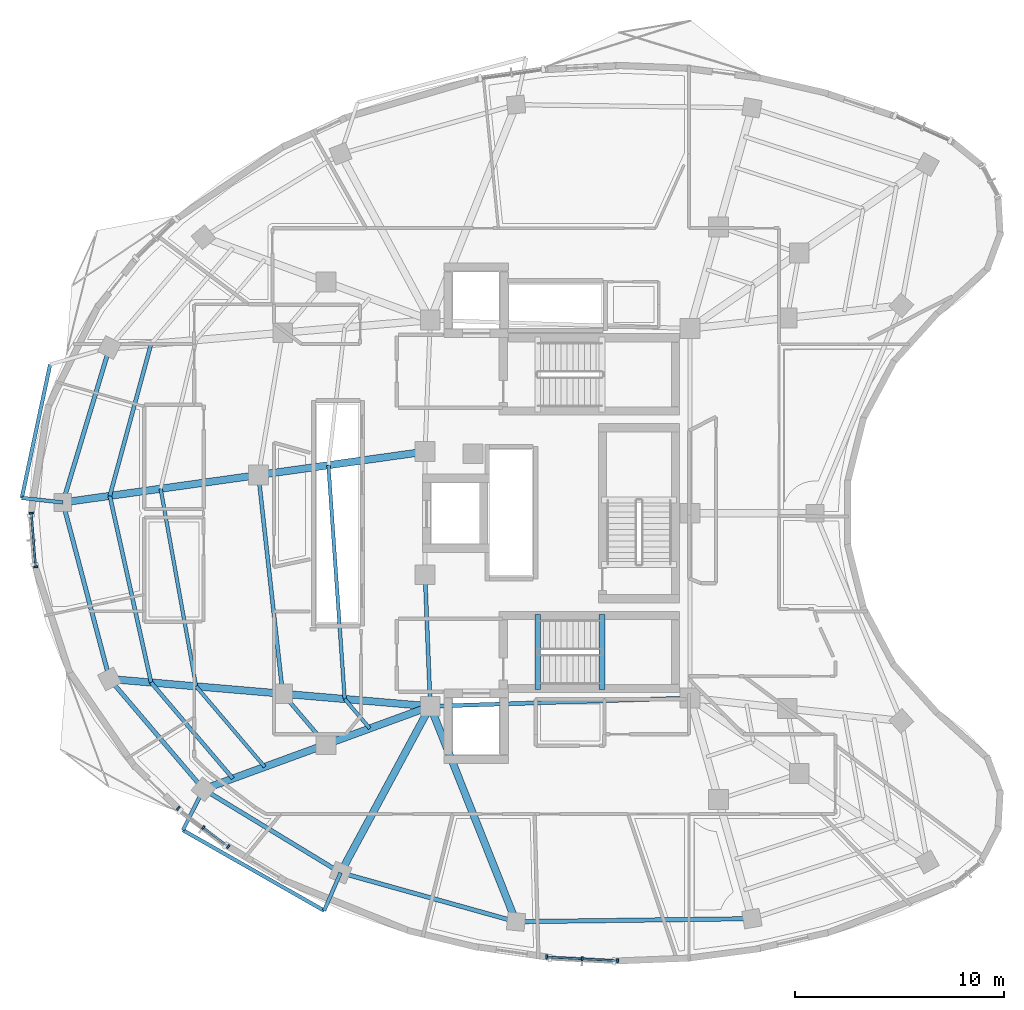
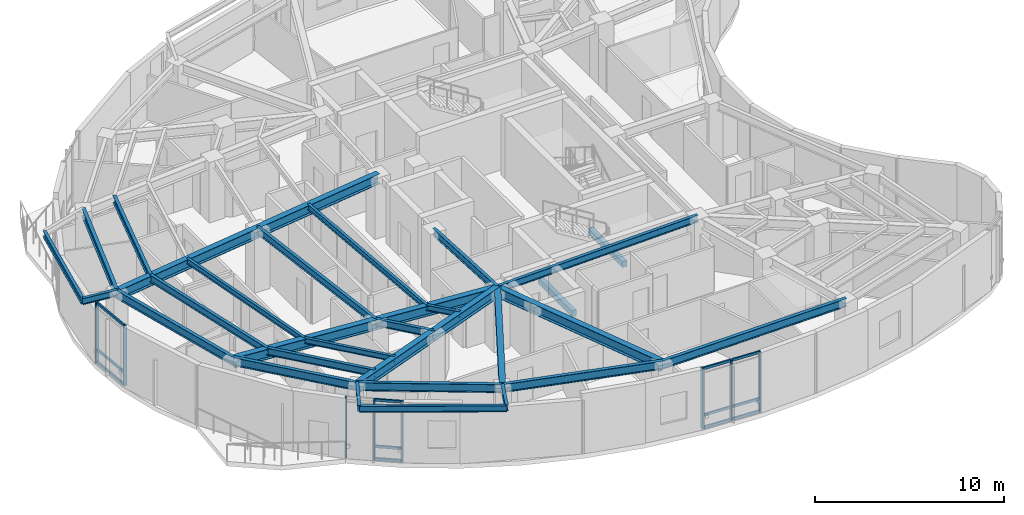
# One storey, part 2 of 14: 32 beams, 20 members, 3 elements without a shape of their own.
"""IFC4 building model written with IfcOpenShell, lengths in metres."""

from ifc_helpers import new_model, si_unit, direction, frame, origin, origin_2d, place, context, subcontext, project, spatial, rectangle, i_section, extrude, material, layer, layer_set, material_profile, profile_set, type_object, element, aggregate, save


model = new_model("IFC4")

# Units and contexts
model_context = context("Model", 3, precision=1e-05, world=origin(), true_north=direction((0.0, 1.0)))
body_context = subcontext(model_context, "Body", "Model", "MODEL_VIEW")
ifc_project = project(units=[si_unit("LENGTHUNIT", "METRE"), si_unit("AREAUNIT", "SQUARE_METRE"), si_unit("VOLUMEUNIT", "CUBIC_METRE"), si_unit("PLANEANGLEUNIT", "RADIAN"), si_unit("MASSUNIT", "GRAM", prefix="KILO")], contexts=[model_context])

# Site, building, storey
site_placement = place(None, origin())
site = spatial("IfcSite", under=ifc_project, at=site_placement, CompositionType="ELEMENT")
building_placement = place(site_placement, origin())
building = spatial("IfcBuilding", under=site, at=building_placement, Name="Korentha Bioscience Tower", CompositionType="ELEMENT")
storey_placement = place(building_placement, frame((0.0, 0.0, 252.0)))
storey = spatial("IfcBuildingStorey", under=building, at=storey_placement, Name="L58", CompositionType="ELEMENT", Elevation=252.0)

# Beams
ifc_material_1 = material(Name="Concrete C50", Category="concrete")
ifc_material_profile_1 = material_profile(ifc_material_1, rectangle(XDim=0.280029296875, YDim=0.3798828125, at=origin_2d()), Name="Concrete C50")
ifc_profile_set_1 = profile_set([ifc_material_profile_1], Name="Concrete C50 (ST-HB380)")
beam_type_1 = type_object("IfcBeamType", Name="Concrete Stair Header Beam RC 280x380", PredefinedType="BEAM", material=ifc_profile_set_1)
for number, where, z_axis, x_axis, name in (
    (1, (30.25, 18.550048828125, -0.18994140625), (0.0, 1.0, 0.0), (-1.0, 0.0, 0.0), "L58 ST-2 Concrete Stair Header Beam"),
    (2, (33.330078125, 18.550048828125, 1.909912109375), (0.0, 1.0, 0.0), (-1.0, 0.0, 0.0), "L58 ST-2 Half-Landing Header Beam 1"),
):
    element("IfcBeam", number, at=place(storey_placement, frame(where, z_axis=z_axis, x_axis=x_axis)), inside=storey, type_object=beam_type_1, Name=name, PredefinedType="BEAM", context=body_context, shape_type="SweptSolid", body=[
        extrude(rectangle(XDim=0.280029296875, YDim=0.3798828125, at=origin_2d()), origin(), (0.0, 0.0, 1.0), 3.599853515625),
    ])
ifc_material_2 = material(Name="Steel S355", Category="steel")
ifc_material_profile_2 = material_profile(ifc_material_2, i_section(OverallWidth=0.18994140625, OverallDepth=0.45703125, WebThickness=0.009033203125, FlangeThickness=0.014404296875, at=origin_2d()), Name="Steel S355")
ifc_profile_set_2 = profile_set([ifc_material_profile_2], Name="Steel S355 (MB-460)")
beam_type_2 = type_object("IfcBeamType", Name="Mid-Ring Tie Girder W460x74", PredefinedType="BEAM", material=ifc_profile_set_2)
beam_1_placement = place(storey_placement, frame((16.868408203125, 28.830322265625, 3.67138671875), z_axis=(0.110304435267, -0.993897847649, 0.0), x_axis=(0.993897847649, 0.110304435267, 0.0)))
element("IfcBeam", 3, at=beam_1_placement, inside=storey, type_object=beam_type_2, Name="L58 Mid-Ring Tie Girder 07", PredefinedType="BEAM", context=body_context, shape_type="SweptSolid", body=[
    extrude(i_section(OverallWidth=0.18994140625, OverallDepth=0.45703125, WebThickness=0.009033203125, FlangeThickness=0.014404296875, at=origin_2d()), origin(), (0.0, 0.0, 1.0), 10.5419921875),
])
beam_2_placement = place(storey_placement, frame((18.03125, 18.3525390625, 3.67138671875), z_axis=(0.648477940418, -0.761233446974, 0.0), x_axis=(0.761233446974, 0.648477940418, 0.0)))
element("IfcBeam", 4, at=beam_2_placement, inside=storey, type_object=beam_type_2, Name="L58 Mid-Ring Tie Girder 08", PredefinedType="BEAM", context=body_context, shape_type="SweptSolid", body=[
    extrude(i_section(OverallWidth=0.18994140625, OverallDepth=0.45703125, WebThickness=0.009033203125, FlangeThickness=0.014404296875, at=origin_2d()), origin(), (0.0, 0.0, 1.0), 3.193603515625),
])
beam_3_placement = place(storey_placement, frame((24.85009765625, 24.050048828125, 3.67138671875), z_axis=(0.039651025576, -0.999213588864, 0.0), x_axis=(0.999213588864, 0.039651025576, 0.0)))
element("IfcBeam", 5, at=beam_3_placement, inside=storey, type_object=beam_type_2, Name="L58 Core Ring Tie Girder 04", PredefinedType="BEAM", context=body_context, shape_type="SweptSolid", body=[
    extrude(i_section(OverallWidth=0.18994140625, OverallDepth=0.45703125, WebThickness=0.009033203125, FlangeThickness=0.014404296875, at=origin_2d()), origin(), (0.0, 0.0, 1.0), 6.304931640625),
])
beam_4_placement = place(storey_placement, frame((25.10009765625, 17.75, 3.67138671875), z_axis=(0.999484526071, 0.032104238723, 0.0), x_axis=(-0.032104238723, 0.999484526071, 0.0)))
element("IfcBeam", 6, at=beam_4_placement, inside=storey, type_object=beam_type_2, Name="L58 Core Ring Tie Girder 05", PredefinedType="BEAM", context=body_context, shape_type="SweptSolid", body=[
    extrude(i_section(OverallWidth=0.18994140625, OverallDepth=0.45703125, WebThickness=0.009033203125, FlangeThickness=0.014404296875, at=origin_2d()), origin(), (0.0, 0.0, 1.0), 12.456298828125),
])

# Curtain wall, members
ifc_material_3 = material(Name="Thermally Broken Aluminium Frame", Category="aluminium")
ifc_layer = layer(ifc_material_3, 0.219970703125, Name="Thermally Broken Aluminium Frame")
ifc_layer_set = layer_set([ifc_layer], Name="Thermally Broken Aluminium Frame (CW-T2)")
curtain_wall_type = type_object("IfcCurtainWallType", Name="Solar-Screened Lab Unitised Curtain Wall CW-T2", PredefinedType="USERDEFINED", material=ifc_layer_set)
curtain_wall_1_placement = place(storey_placement, origin())
curtain_wall_1 = element("IfcCurtainWall", 7, at=curtain_wall_1_placement, inside=storey, type_object=curtain_wall_type, Name="L58 Curtain Wall 19", ObjectType="UNITISED", PredefinedType="USERDEFINED")
ifc_material_4 = material(Name="Anodised Aluminium 6063-T6", Category="aluminium")
ifc_material_profile_3 = material_profile(ifc_material_4, rectangle(XDim=0.090087890625, YDim=0.199951171875, at=origin_2d()), Name="Anodised Aluminium 6063-T6")
ifc_profile_set_3 = profile_set([ifc_material_profile_3], Name="Anodised Aluminium 6063-T6 (CW-MUL)")
member_type_1 = type_object("IfcMemberType", Name="Mullion RECT 90x200", PredefinedType="MULLION", material=ifc_profile_set_3)
member_1_placement = place(storey_placement, frame((5.992919921875, 27.0078125, 0.0), z_axis=(0.0, 0.0, 1.0), x_axis=(0.079117478884, -0.996865299093, 0.0)))
member_1 = element("IfcMember", 8, at=member_1_placement, type_object=member_type_1, Name="CW-L58-19 Mullion 1", PredefinedType="MULLION", context=body_context, shape_type="SweptSolid", body=[
    extrude(rectangle(XDim=0.090087890625, YDim=0.199951171875, at=origin_2d()), origin(), (0.0, 0.0, 1.0), 3.89990234375),
])
member_2_placement = place(storey_placement, frame((6.197509765625, 24.427490234375, 0.0), z_axis=(0.0, 0.0, 1.0), x_axis=(0.079117478884, -0.996865299093, 0.0)))
member_2 = element("IfcMember", 9, at=member_2_placement, type_object=member_type_1, Name="CW-L58-19 Mullion 2", PredefinedType="MULLION", context=body_context, shape_type="SweptSolid", body=[
    extrude(rectangle(XDim=0.090087890625, YDim=0.199951171875, at=origin_2d()), origin(), (0.0, 0.0, 1.0), 3.89990234375),
])

curtain_wall_2_placement = place(storey_placement, origin())
curtain_wall_2 = element("IfcCurtainWall", 10, at=curtain_wall_2_placement, inside=storey, type_object=curtain_wall_type, Name="L58 Curtain Wall 25", ObjectType="UNITISED", PredefinedType="USERDEFINED")
member_3_placement = place(storey_placement, frame((13.0244140625, 12.862548828125, 0.0), z_axis=(0.0, 0.0, 1.0), x_axis=(0.794382455982, -0.607417906904, 0.0)))
member_3 = element("IfcMember", 11, at=member_3_placement, type_object=member_type_1, Name="CW-L58-25 Mullion 1", PredefinedType="MULLION", context=body_context, shape_type="SweptSolid", body=[
    extrude(rectangle(XDim=0.090087890625, YDim=0.199951171875, at=origin_2d()), origin(), (0.0, 0.0, 1.0), 3.89990234375),
])
member_4_placement = place(storey_placement, frame((14.224853515625, 11.944580078125, 0.0), z_axis=(0.0, 0.0, 1.0), x_axis=(0.794382455982, -0.607417906904, 0.0)))
member_4 = element("IfcMember", 12, at=member_4_placement, type_object=member_type_1, Name="CW-L58-25 Mullion 2", PredefinedType="MULLION", context=body_context, shape_type="SweptSolid", body=[
    extrude(rectangle(XDim=0.090087890625, YDim=0.199951171875, at=origin_2d()), origin(), (0.0, 0.0, 1.0), 3.89990234375),
])
member_5_placement = place(storey_placement, frame((15.42529296875, 11.026611328125, 0.0), z_axis=(0.0, 0.0, 1.0), x_axis=(0.794382455982, -0.607417906904, 0.0)))
member_5 = element("IfcMember", 13, at=member_5_placement, type_object=member_type_1, Name="CW-L58-25 Mullion 3", PredefinedType="MULLION", context=body_context, shape_type="SweptSolid", body=[
    extrude(rectangle(XDim=0.090087890625, YDim=0.199951171875, at=origin_2d()), origin(), (0.0, 0.0, 1.0), 3.89990234375),
])

curtain_wall_3_placement = place(storey_placement, origin())
curtain_wall_3 = element("IfcCurtainWall", 14, at=curtain_wall_3_placement, inside=storey, type_object=curtain_wall_type, Name="L58 Curtain Wall 31", ObjectType="UNITISED", PredefinedType="USERDEFINED")
member_6_placement = place(storey_placement, frame((30.67431640625, 5.7421875, 0.0), z_axis=(0.0, 0.0, 1.0), x_axis=(0.998671032258, -0.051538037689, 0.0)))
member_6 = element("IfcMember", 15, at=member_6_placement, type_object=member_type_1, Name="CW-L58-31 Mullion 1", PredefinedType="MULLION", context=body_context, shape_type="SweptSolid", body=[
    extrude(rectangle(XDim=0.090087890625, YDim=0.199951171875, at=origin_2d()), origin(), (0.0, 0.0, 1.0), 3.89990234375),
])
member_7_placement = place(storey_placement, frame((32.37548828125, 5.654296875, 0.0), z_axis=(0.0, 0.0, 1.0), x_axis=(0.998671032258, -0.051538037689, 0.0)))
member_7 = element("IfcMember", 16, at=member_7_placement, type_object=member_type_1, Name="CW-L58-31 Mullion 2", PredefinedType="MULLION", context=body_context, shape_type="SweptSolid", body=[
    extrude(rectangle(XDim=0.090087890625, YDim=0.199951171875, at=origin_2d()), origin(), (0.0, 0.0, 1.0), 3.89990234375),
])
member_8_placement = place(storey_placement, frame((34.076416015625, 5.566650390625, 0.0), z_axis=(0.0, 0.0, 1.0), x_axis=(0.998671032258, -0.051538037689, 0.0)))
member_8 = element("IfcMember", 17, at=member_8_placement, type_object=member_type_1, Name="CW-L58-31 Mullion 3", PredefinedType="MULLION", context=body_context, shape_type="SweptSolid", body=[
    extrude(rectangle(XDim=0.090087890625, YDim=0.199951171875, at=origin_2d()), origin(), (0.0, 0.0, 1.0), 3.89990234375),
])

# Beams
ifc_material_profile_4 = material_profile(ifc_material_2, i_section(OverallWidth=0.208984375, OverallDepth=0.532958984375, WebThickness=0.01025390625, FlangeThickness=0.015625, at=origin_2d()), Name="Steel S355")
ifc_profile_set_4 = profile_set([ifc_material_profile_4], Name="Steel S355 (SB-530)")
beam_type_3 = type_object("IfcBeamType", Name="Perimeter Ring Spandrel Girder W530x92", PredefinedType="SPANDREL", material=ifc_profile_set_4)
beam_5_placement = place(storey_placement, frame((9.7333984375, 34.93994140625, 3.633544921875), z_axis=(-0.288202931469, -0.957569355343, 0.0), x_axis=(0.957569355343, -0.288202931469, 0.0)))
element("IfcBeam", 18, at=beam_5_placement, inside=storey, type_object=beam_type_3, Name="L58 Perimeter Spandrel Girder 06", PredefinedType="SPANDREL", context=body_context, shape_type="SweptSolid", body=[
    extrude(i_section(OverallWidth=0.208984375, OverallDepth=0.532958984375, WebThickness=0.01025390625, FlangeThickness=0.015625, at=origin_2d()), origin(), (0.0, 0.0, 1.0), 7.752685546875),
])
beam_6_placement = place(storey_placement, frame((7.4990234375, 27.51611328125, 3.633544921875), z_axis=(0.255465954873, -0.966818052118, 0.0), x_axis=(0.966818052118, 0.255465954873, 0.0)))
element("IfcBeam", 19, at=beam_6_placement, inside=storey, type_object=beam_type_3, Name="L58 Perimeter Spandrel Girder 07", PredefinedType="SPANDREL", context=body_context, shape_type="SweptSolid", body=[
    extrude(i_section(OverallWidth=0.208984375, OverallDepth=0.532958984375, WebThickness=0.01025390625, FlangeThickness=0.015625, at=origin_2d()), origin(), (0.0, 0.0, 1.0), 8.746337890625),
])
beam_7_placement = place(storey_placement, frame((9.7333984375, 19.06005859375, 3.633544921875), z_axis=(0.648430983047, -0.76127344642, 0.0), x_axis=(0.76127344642, 0.648430983047, 0.0)))
element("IfcBeam", 20, at=beam_7_placement, inside=storey, type_object=beam_type_3, Name="L58 Perimeter Spandrel Girder 08", PredefinedType="SPANDREL", context=body_context, shape_type="SweptSolid", body=[
    extrude(i_section(OverallWidth=0.208984375, OverallDepth=0.532958984375, WebThickness=0.01025390625, FlangeThickness=0.015625, at=origin_2d()), origin(), (0.0, 0.0, 1.0), 6.94287109375),
])
beam_8_placement = place(storey_placement, frame((14.2353515625, 13.774658203125, 3.633544921875), z_axis=(0.854346933574, -0.519703104755, 0.0), x_axis=(0.519703104755, 0.854346933574, 0.0)))
element("IfcBeam", 21, at=beam_8_placement, inside=storey, type_object=beam_type_3, Name="L58 Perimeter Spandrel Girder 09", PredefinedType="SPANDREL", context=body_context, shape_type="SweptSolid", body=[
    extrude(i_section(OverallWidth=0.208984375, OverallDepth=0.532958984375, WebThickness=0.01025390625, FlangeThickness=0.015625, at=origin_2d()), origin(), (0.0, 0.0, 1.0), 7.687255859375),
])
beam_9_placement = place(storey_placement, frame((20.802978515625, 9.779541015625, 3.633544921875), z_axis=(0.963069388381, -0.269253325258, 0.0), x_axis=(0.269253325258, 0.963069388381, 0.0)))
element("IfcBeam", 22, at=beam_9_placement, inside=storey, type_object=beam_type_3, Name="L58 Perimeter Spandrel Girder 10", PredefinedType="SPANDREL", context=body_context, shape_type="SweptSolid", body=[
    extrude(i_section(OverallWidth=0.208984375, OverallDepth=0.532958984375, WebThickness=0.01025390625, FlangeThickness=0.015625, at=origin_2d()), origin(), (0.0, 0.0, 1.0), 8.72900390625),
])
beam_10_placement = place(storey_placement, frame((29.209716796875, 7.42919921875, 3.633544921875), z_axis=(0.999915413236, 0.013006397415, 0.0), x_axis=(-0.013006397415, 0.999915413236, 0.0)))
element("IfcBeam", 23, at=beam_10_placement, inside=storey, type_object=beam_type_3, Name="L58 Perimeter Spandrel Girder 11", PredefinedType="SPANDREL", context=body_context, shape_type="SweptSolid", body=[
    extrude(i_section(OverallWidth=0.208984375, OverallDepth=0.532958984375, WebThickness=0.01025390625, FlangeThickness=0.015625, at=origin_2d()), origin(), (0.0, 0.0, 1.0), 11.300048828125),
])
ifc_material_profile_5 = material_profile(ifc_material_2, i_section(OverallWidth=0.18994140625, OverallDepth=0.45703125, WebThickness=0.009033203125, FlangeThickness=0.014404296875, at=origin_2d()), Name="Steel S355")
ifc_profile_set_5 = profile_set([ifc_material_profile_5], Name="Steel S355 (RB-460)")
beam_type_4 = type_object("IfcBeamType", Name="Radial Laboratory Beam W460x74", PredefinedType="BEAM", material=ifc_profile_set_5)
beam_11_placement = place(storey_placement, frame((11.724853515625, 35.109619140625, 3.67138671875), z_axis=(-0.262144880331, -0.965028528965, 0.0), x_axis=(0.965028528965, -0.262144880331, 0.0)))
element("IfcBeam", 24, at=beam_11_placement, inside=storey, type_object=beam_type_4, Name="L58 Secondary Floor Beam JSTO-06", PredefinedType="BEAM", context=body_context, shape_type="SweptSolid", body=[
    extrude(i_section(OverallWidth=0.18994140625, OverallDepth=0.45703125, WebThickness=0.009033203125, FlangeThickness=0.014404296875, at=origin_2d()), origin(), (0.0, 0.0, 1.0), 7.541748046875),
])
beam_12_placement = place(storey_placement, frame((9.747802734375, 27.83154296875, 3.67138671875), z_axis=(0.215902781795, -0.976414865113, 0.0), x_axis=(0.976414865113, 0.215902781795, 0.0)))
element("IfcBeam", 25, at=beam_12_placement, inside=storey, type_object=beam_type_4, Name="L58 Secondary Floor Beam JSTO-07", PredefinedType="BEAM", context=body_context, shape_type="SweptSolid", body=[
    extrude(i_section(OverallWidth=0.18994140625, OverallDepth=0.45703125, WebThickness=0.009033203125, FlangeThickness=0.014404296875, at=origin_2d()), origin(), (0.0, 0.0, 1.0), 9.1572265625),
])
beam_13_placement = place(storey_placement, frame((11.724853515625, 18.890380859375, 3.67138671875), z_axis=(0.64841269497, -0.761289023303, 0.0), x_axis=(0.761289023303, 0.64841269497, 0.0)))
element("IfcBeam", 26, at=beam_13_placement, inside=storey, type_object=beam_type_4, Name="L58 Secondary Floor Beam JSTO-08", PredefinedType="BEAM", context=body_context, shape_type="SweptSolid", body=[
    extrude(i_section(OverallWidth=0.18994140625, OverallDepth=0.45703125, WebThickness=0.009033203125, FlangeThickness=0.014404296875, at=origin_2d()), origin(), (0.0, 0.0, 1.0), 6.043212890625),
])
ifc_material_profile_6 = material_profile(ifc_material_2, i_section(OverallWidth=0.35009765625, OverallDepth=0.64990234375, WebThickness=0.01611328125, FlangeThickness=0.02490234375, at=origin_2d()), Name="Steel S355")
ifc_profile_set_6 = profile_set([ifc_material_profile_6], Name="Steel S355 (RB-650)")
beam_type_5 = type_object("IfcBeamType", Name="Radial Laboratory Girder CVS 650x208", PredefinedType="BEAM", material=ifc_profile_set_6)
beam_14_placement = place(storey_placement, frame((24.85009765625, 29.949951171875, 3.574951171875), z_axis=(-0.990304360925, -0.138914623901, 0.0), x_axis=(0.138914623901, -0.990304360925, 0.0)))
element("IfcBeam", 27, at=beam_14_placement, inside=storey, type_object=beam_type_5, Name="L58 Inner Radial Girder 07", PredefinedType="BEAM", context=body_context, shape_type="SweptSolid", body=[
    extrude(i_section(OverallWidth=0.35009765625, OverallDepth=0.64990234375, WebThickness=0.01611328125, FlangeThickness=0.02490234375, at=origin_2d()), origin(), (0.0, 0.0, 1.0), 8.059814453125),
])
beam_15_placement = place(storey_placement, frame((16.868408203125, 28.830322265625, 3.574951171875), z_axis=(-0.990305501334, -0.138906493829, 0.0), x_axis=(0.138906493829, -0.990305501334, 0.0)))
element("IfcBeam", 28, at=beam_15_placement, inside=storey, type_object=beam_type_5, Name="L58 Outer Radial Girder 07", PredefinedType="BEAM", context=body_context, shape_type="SweptSolid", body=[
    extrude(i_section(OverallWidth=0.35009765625, OverallDepth=0.64990234375, WebThickness=0.01611328125, FlangeThickness=0.02490234375, at=origin_2d()), origin(), (0.0, 0.0, 1.0), 9.461181640625),
])
beam_16_placement = place(storey_placement, frame((25.10009765625, 17.75, 3.574951171875), z_axis=(-0.996386862802, 0.084930675464, 0.0), x_axis=(-0.084930675464, -0.996386862802, 0.0)))
element("IfcBeam", 29, at=beam_16_placement, inside=storey, type_object=beam_type_5, Name="L58 Inner Radial Girder 08", PredefinedType="BEAM", context=body_context, shape_type="SweptSolid", body=[
    extrude(i_section(OverallWidth=0.35009765625, OverallDepth=0.64990234375, WebThickness=0.01611328125, FlangeThickness=0.02490234375, at=origin_2d()), origin(), (0.0, 0.0, 1.0), 7.094482421875),
])
beam_17_placement = place(storey_placement, frame((18.03125, 18.3525390625, 3.574951171875), z_axis=(-0.996384608351, 0.084957120013, 0.0), x_axis=(-0.084957120013, -0.996384608351, 0.0)))
element("IfcBeam", 30, at=beam_17_placement, inside=storey, type_object=beam_type_5, Name="L58 Outer Radial Girder 08", PredefinedType="BEAM", context=body_context, shape_type="SweptSolid", body=[
    extrude(i_section(OverallWidth=0.35009765625, OverallDepth=0.64990234375, WebThickness=0.01611328125, FlangeThickness=0.02490234375, at=origin_2d()), origin(), (0.0, 0.0, 1.0), 8.327880859375),
])
beam_18_placement = place(storey_placement, frame((25.10009765625, 17.75, 3.574951171875), z_axis=(-0.939113825958, -0.34360620177, 0.0), x_axis=(0.34360620177, -0.939113825958, 0.0)))
element("IfcBeam", 31, at=beam_18_placement, inside=storey, type_object=beam_type_5, Name="L58 Inner Radial Girder 09", PredefinedType="BEAM", context=body_context, shape_type="SweptSolid", body=[
    extrude(i_section(OverallWidth=0.35009765625, OverallDepth=0.64990234375, WebThickness=0.01611328125, FlangeThickness=0.02490234375, at=origin_2d()), origin(), (0.0, 0.0, 1.0), 5.32177734375),
])
beam_19_placement = place(storey_placement, frame((20.102294921875, 15.92138671875, 3.574951171875), z_axis=(-0.939108088977, -0.343621881169, 0.0), x_axis=(0.343621881169, -0.939108088977, 0.0)))
element("IfcBeam", 32, at=beam_19_placement, inside=storey, type_object=beam_type_5, Name="L58 Outer Radial Girder 09", PredefinedType="BEAM", context=body_context, shape_type="SweptSolid", body=[
    extrude(i_section(OverallWidth=0.35009765625, OverallDepth=0.64990234375, WebThickness=0.01611328125, FlangeThickness=0.02490234375, at=origin_2d()), origin(), (0.0, 0.0, 1.0), 6.247314453125),
])
beam_20_placement = place(storey_placement, frame((25.10009765625, 17.75, 3.574951171875), z_axis=(-0.47455638006, -0.88022510879, 0.0), x_axis=(0.88022510879, -0.47455638006, 0.0)))
element("IfcBeam", 33, at=beam_20_placement, inside=storey, type_object=beam_type_5, Name="L58 Radial Girder 10", PredefinedType="BEAM", context=body_context, shape_type="SweptSolid", body=[
    extrude(i_section(OverallWidth=0.35009765625, OverallDepth=0.64990234375, WebThickness=0.01611328125, FlangeThickness=0.02490234375, at=origin_2d()), origin(), (0.0, 0.0, 1.0), 9.054931640625),
])
beam_21_placement = place(storey_placement, frame((25.10009765625, 17.75, 3.574951171875), z_axis=(0.369938982304, -0.929056052869, 0.0), x_axis=(0.929056052869, 0.369938982304, 0.0)))
element("IfcBeam", 34, at=beam_21_placement, inside=storey, type_object=beam_type_5, Name="L58 Radial Girder 11", PredefinedType="BEAM", context=body_context, shape_type="SweptSolid", body=[
    extrude(i_section(OverallWidth=0.35009765625, OverallDepth=0.64990234375, WebThickness=0.01611328125, FlangeThickness=0.02490234375, at=origin_2d()), origin(), (0.0, 0.0, 1.0), 11.10888671875),
])
ifc_material_profile_7 = material_profile(ifc_material_2, i_section(OverallWidth=0.1708984375, OverallDepth=0.35498046875, WebThickness=0.007080078125, FlangeThickness=0.01171875, at=origin_2d()), Name="Steel S355")
ifc_profile_set_7 = profile_set([ifc_material_profile_7], Name="Steel S355 (JB-360)")
beam_type_6 = type_object("IfcBeamType", Name="Secondary Laboratory Joist W360x51", PredefinedType="JOIST", material=ifc_profile_set_7)
beam_22_placement = place(storey_placement, frame((12.18359375, 28.17333984375, 3.722412109375), z_axis=(0.176615511364, -0.984279920117, 0.0), x_axis=(0.984279920117, 0.176615511364, 0.0)))
element("IfcBeam", 35, at=beam_22_placement, inside=storey, type_object=beam_type_6, Name="L58 Secondary Floor Beam JST-07", PredefinedType="JOIST", context=body_context, shape_type="SweptSolid", body=[
    extrude(i_section(OverallWidth=0.1708984375, OverallDepth=0.35498046875, WebThickness=0.007080078125, FlangeThickness=0.01171875, at=origin_2d()), origin(), (0.0, 0.0, 1.0), 9.6181640625),
])
beam_23_placement = place(storey_placement, frame((20.220703125, 29.300537109375, 3.722412109375), z_axis=(0.069428172823, -0.997586953011, 0.0), x_axis=(0.997586953011, 0.069428172823, 0.0)))
element("IfcBeam", 36, at=beam_23_placement, inside=storey, type_object=beam_type_6, Name="L58 Inner Bay Joist 07", PredefinedType="JOIST", context=body_context, shape_type="SweptSolid", body=[
    extrude(i_section(OverallWidth=0.1708984375, OverallDepth=0.35498046875, WebThickness=0.007080078125, FlangeThickness=0.01171875, at=origin_2d()), origin(), (0.0, 0.0, 1.0), 11.22802734375),
])
beam_24_placement = place(storey_placement, frame((13.88232421875, 18.706298828125, 3.722412109375), z_axis=(0.648419930644, -0.761282860404, 0.0), x_axis=(0.761282860404, 0.648419930644, 0.0)))
element("IfcBeam", 37, at=beam_24_placement, inside=storey, type_object=beam_type_6, Name="L58 Secondary Floor Beam JST-08", PredefinedType="JOIST", context=body_context, shape_type="SweptSolid", body=[
    extrude(i_section(OverallWidth=0.1708984375, OverallDepth=0.35498046875, WebThickness=0.007080078125, FlangeThickness=0.01171875, at=origin_2d()), origin(), (0.0, 0.0, 1.0), 5.068359375),
])
beam_25_placement = place(storey_placement, frame((21.000244140625, 18.099609375, 3.722412109375), z_axis=(0.648443825531, -0.761262507372, 0.0), x_axis=(0.761262507372, 0.648443825531, 0.0)))
element("IfcBeam", 38, at=beam_25_placement, inside=storey, type_object=beam_type_6, Name="L58 Inner Bay Joist 08", PredefinedType="JOIST", context=body_context, shape_type="SweptSolid", body=[
    extrude(i_section(OverallWidth=0.1708984375, OverallDepth=0.35498046875, WebThickness=0.007080078125, FlangeThickness=0.01171875, at=origin_2d()), origin(), (0.0, 0.0, 1.0), 1.852294921875),
])
ifc_material_profile_8 = material_profile(ifc_material_2, i_section(OverallWidth=0.177978515625, OverallDepth=0.406982421875, WebThickness=0.0078125, FlangeThickness=0.0126953125, at=origin_2d()), Name="Steel S355")
ifc_profile_set_8 = profile_set([ifc_material_profile_8], Name="Steel S355 (CB-410)")
beam_type_7 = type_object("IfcBeamType", Name="Sun-Ledge Cantilever Beam W410x60", PredefinedType="BEAM", material=ifc_profile_set_8)
beam_26_placement = place(storey_placement, frame((7.4990234375, 27.51611328125, 3.698486328125), z_axis=(-0.994021373123, 0.109185666528, 0.0), x_axis=(-0.109185666528, -0.994021373123, 0.0)))
element("IfcBeam", 39, at=beam_26_placement, inside=storey, type_object=beam_type_7, Name="L58 Balcony Cantilever Bracket B-L59-02", PredefinedType="BEAM", context=body_context, shape_type="SweptSolid", body=[
    extrude(i_section(OverallWidth=0.177978515625, OverallDepth=0.406982421875, WebThickness=0.0078125, FlangeThickness=0.0126953125, at=origin_2d()), origin(), (0.0, 0.0, 1.0), 1.978759765625),
])
beam_27_placement = place(storey_placement, frame((6.888671875, 34.127197265625, 3.698486328125), z_axis=(-0.207529116247, -0.978228841279, 0.0), x_axis=(0.978228841279, -0.207529116247, 0.0)))
element("IfcBeam", 40, at=beam_27_placement, inside=storey, type_object=beam_type_7, Name="L58 Balcony Edge Trimmer Beam L59-02", PredefinedType="BEAM", context=body_context, shape_type="SweptSolid", body=[
    extrude(i_section(OverallWidth=0.177978515625, OverallDepth=0.406982421875, WebThickness=0.0078125, FlangeThickness=0.0126953125, at=origin_2d()), origin(), (0.0, 0.0, 1.0), 6.537353515625),
])
beam_28_placement = place(storey_placement, frame((14.2353515625, 13.774658203125, 3.698486328125), z_axis=(-0.450062498757, -0.892997058905, 0.0), x_axis=(0.892997058905, -0.450062498757, 0.0)))
element("IfcBeam", 41, at=beam_28_placement, inside=storey, type_object=beam_type_7, Name="L58 Balcony Cantilever Bracket A-L59-03", PredefinedType="BEAM", context=body_context, shape_type="SweptSolid", body=[
    extrude(i_section(OverallWidth=0.177978515625, OverallDepth=0.406982421875, WebThickness=0.0078125, FlangeThickness=0.0126953125, at=origin_2d()), origin(), (0.0, 0.0, 1.0), 2.192138671875),
])
beam_29_placement = place(storey_placement, frame((20.802978515625, 9.779541015625, 3.698486328125), z_axis=(-0.396936404006, -0.917846115193, 0.0), x_axis=(0.917846115193, -0.396936404006, 0.0)))
element("IfcBeam", 42, at=beam_29_placement, inside=storey, type_object=beam_type_7, Name="L58 Balcony Cantilever Bracket B-L59-03", PredefinedType="BEAM", context=body_context, shape_type="SweptSolid", body=[
    extrude(i_section(OverallWidth=0.177978515625, OverallDepth=0.406982421875, WebThickness=0.0078125, FlangeThickness=0.0126953125, at=origin_2d()), origin(), (0.0, 0.0, 1.0), 1.981201171875),
])
beam_30_placement = place(storey_placement, frame((13.248779296875, 11.817138671875, 3.698486328125), z_axis=(0.868871242254, -0.495038144373, 0.0), x_axis=(0.495038144373, 0.868871242254, 0.0)))
element("IfcBeam", 43, at=beam_30_placement, inside=storey, type_object=beam_type_7, Name="L58 Balcony Edge Trimmer Beam L59-03", PredefinedType="BEAM", context=body_context, shape_type="SweptSolid", body=[
    extrude(i_section(OverallWidth=0.177978515625, OverallDepth=0.406982421875, WebThickness=0.0078125, FlangeThickness=0.0126953125, at=origin_2d()), origin(), (0.0, 0.0, 1.0), 7.789306640625),
])

# Member
ifc_material_profile_9 = material_profile(ifc_material_4, rectangle(XDim=0.090087890625, YDim=0.159912109375, at=origin_2d()), Name="Anodised Aluminium 6063-T6")
ifc_profile_set_9 = profile_set([ifc_material_profile_9], Name="Anodised Aluminium 6063-T6 (CW-TRN)")
member_type_2 = type_object("IfcMemberType", Name="Transom RECT 90x160", PredefinedType="USERDEFINED", material=ifc_profile_set_9)
member_9_placement = place(storey_placement, frame((5.996337890625, 26.962890625, 0.044921875), z_axis=(0.079154836788, -0.996862333431, 0.0), x_axis=(0.996862333431, 0.079154836788, 0.0)))
member_9 = element("IfcMember", 44, at=member_9_placement, type_object=member_type_2, Name="CW-L58-19 Bay 1 Transom 1", ObjectType="TRANSOM", PredefinedType="USERDEFINED", context=body_context, shape_type="SweptSolid", body=[
    extrude(rectangle(XDim=0.090087890625, YDim=0.159912109375, at=origin_2d()), origin(), (0.0, 0.0, 1.0), 2.498291015625),
])

member_10_placement = place(storey_placement, frame((5.996337890625, 26.962890625, 0.85009765625), z_axis=(0.079154836788, -0.996862333431, 0.0), x_axis=(0.996862333431, 0.079154836788, 0.0)))
member_10 = element("IfcMember", 45, at=member_10_placement, type_object=member_type_2, Name="CW-L58-19 Bay 1 Transom 2", ObjectType="TRANSOM", PredefinedType="USERDEFINED", context=body_context, shape_type="SweptSolid", body=[
    extrude(rectangle(XDim=0.090087890625, YDim=0.159912109375, at=origin_2d()), origin(), (0.0, 0.0, 1.0), 2.498291015625),
])

member_11_placement = place(storey_placement, frame((5.996337890625, 26.962890625, 3.85498046875), z_axis=(0.079154836788, -0.996862333431, 0.0), x_axis=(0.996862333431, 0.079154836788, 0.0)))
member_11 = element("IfcMember", 46, at=member_11_placement, type_object=member_type_2, Name="CW-L58-19 Bay 1 Transom 3", ObjectType="TRANSOM", PredefinedType="USERDEFINED", context=body_context, shape_type="SweptSolid", body=[
    extrude(rectangle(XDim=0.090087890625, YDim=0.159912109375, at=origin_2d()), origin(), (0.0, 0.0, 1.0), 2.498291015625),
])

aggregate(curtain_wall_1, [member_1, member_2, member_9, member_10, member_11])

member_12_placement = place(storey_placement, frame((14.260498046875, 11.917236328125, 0.044921875), z_axis=(0.794440728622, -0.607341690242, 0.0), x_axis=(0.607341690242, 0.794440728622, 0.0)))
member_12 = element("IfcMember", 47, at=member_12_placement, type_object=member_type_2, Name="CW-L58-25 Bay 2 Transom 1", ObjectType="TRANSOM", PredefinedType="USERDEFINED", context=body_context, shape_type="SweptSolid", body=[
    extrude(rectangle(XDim=0.090087890625, YDim=0.159912109375, at=origin_2d()), origin(), (0.0, 0.0, 1.0), 1.4208984375),
])

member_13_placement = place(storey_placement, frame((14.260498046875, 11.917236328125, 0.85009765625), z_axis=(0.794440728622, -0.607341690242, 0.0), x_axis=(0.607341690242, 0.794440728622, 0.0)))
member_13 = element("IfcMember", 48, at=member_13_placement, type_object=member_type_2, Name="CW-L58-25 Bay 2 Transom 2", ObjectType="TRANSOM", PredefinedType="USERDEFINED", context=body_context, shape_type="SweptSolid", body=[
    extrude(rectangle(XDim=0.090087890625, YDim=0.159912109375, at=origin_2d()), origin(), (0.0, 0.0, 1.0), 1.4208984375),
])

member_14_placement = place(storey_placement, frame((14.260498046875, 11.917236328125, 3.85498046875), z_axis=(0.794440728622, -0.607341690242, 0.0), x_axis=(0.607341690242, 0.794440728622, 0.0)))
member_14 = element("IfcMember", 49, at=member_14_placement, type_object=member_type_2, Name="CW-L58-25 Bay 2 Transom 3", ObjectType="TRANSOM", PredefinedType="USERDEFINED", context=body_context, shape_type="SweptSolid", body=[
    extrude(rectangle(XDim=0.090087890625, YDim=0.159912109375, at=origin_2d()), origin(), (0.0, 0.0, 1.0), 1.4208984375),
])

aggregate(curtain_wall_2, [member_3, member_4, member_5, member_12, member_13, member_14])

member_15_placement = place(storey_placement, frame((30.719482421875, 5.739990234375, 0.044921875), z_axis=(0.998667541134, -0.051605641995, 0.0), x_axis=(0.051605641995, 0.998667541134, 0.0)))
member_15 = element("IfcMember", 50, at=member_15_placement, type_object=member_type_2, Name="CW-L58-31 Bay 1 Transom 1", ObjectType="TRANSOM", PredefinedType="USERDEFINED", context=body_context, shape_type="SweptSolid", body=[
    extrude(rectangle(XDim=0.090087890625, YDim=0.159912109375, at=origin_2d()), origin(), (0.0, 0.0, 1.0), 1.61328125),
])

member_16_placement = place(storey_placement, frame((30.719482421875, 5.739990234375, 0.85009765625), z_axis=(0.998667541134, -0.051605641995, 0.0), x_axis=(0.051605641995, 0.998667541134, 0.0)))
member_16 = element("IfcMember", 51, at=member_16_placement, type_object=member_type_2, Name="CW-L58-31 Bay 1 Transom 2", ObjectType="TRANSOM", PredefinedType="USERDEFINED", context=body_context, shape_type="SweptSolid", body=[
    extrude(rectangle(XDim=0.090087890625, YDim=0.159912109375, at=origin_2d()), origin(), (0.0, 0.0, 1.0), 1.61328125),
])

member_17_placement = place(storey_placement, frame((30.719482421875, 5.739990234375, 3.85498046875), z_axis=(0.998667541134, -0.051605641995, 0.0), x_axis=(0.051605641995, 0.998667541134, 0.0)))
member_17 = element("IfcMember", 52, at=member_17_placement, type_object=member_type_2, Name="CW-L58-31 Bay 1 Transom 3", ObjectType="TRANSOM", PredefinedType="USERDEFINED", context=body_context, shape_type="SweptSolid", body=[
    extrude(rectangle(XDim=0.090087890625, YDim=0.159912109375, at=origin_2d()), origin(), (0.0, 0.0, 1.0), 1.61328125),
])

member_18_placement = place(storey_placement, frame((32.42041015625, 5.652099609375, 0.044921875), z_axis=(0.998667541134, -0.051605641995, 0.0), x_axis=(0.051605641995, 0.998667541134, 0.0)))
member_18 = element("IfcMember", 53, at=member_18_placement, type_object=member_type_2, Name="CW-L58-31 Bay 2 Transom 1", ObjectType="TRANSOM", PredefinedType="USERDEFINED", context=body_context, shape_type="SweptSolid", body=[
    extrude(rectangle(XDim=0.090087890625, YDim=0.159912109375, at=origin_2d()), origin(), (0.0, 0.0, 1.0), 1.61328125),
])

member_19_placement = place(storey_placement, frame((32.42041015625, 5.652099609375, 0.85009765625), z_axis=(0.998667541134, -0.051605641995, 0.0), x_axis=(0.051605641995, 0.998667541134, 0.0)))
member_19 = element("IfcMember", 54, at=member_19_placement, type_object=member_type_2, Name="CW-L58-31 Bay 2 Transom 2", ObjectType="TRANSOM", PredefinedType="USERDEFINED", context=body_context, shape_type="SweptSolid", body=[
    extrude(rectangle(XDim=0.090087890625, YDim=0.159912109375, at=origin_2d()), origin(), (0.0, 0.0, 1.0), 1.61328125),
])

member_20_placement = place(storey_placement, frame((32.42041015625, 5.652099609375, 3.85498046875), z_axis=(0.998667541134, -0.051605641995, 0.0), x_axis=(0.051605641995, 0.998667541134, 0.0)))
member_20 = element("IfcMember", 55, at=member_20_placement, type_object=member_type_2, Name="CW-L58-31 Bay 2 Transom 3", ObjectType="TRANSOM", PredefinedType="USERDEFINED", context=body_context, shape_type="SweptSolid", body=[
    extrude(rectangle(XDim=0.090087890625, YDim=0.159912109375, at=origin_2d()), origin(), (0.0, 0.0, 1.0), 1.61328125),
])

aggregate(curtain_wall_3, [member_6, member_7, member_8, member_15, member_16, member_17, member_18, member_19, member_20])

save(model, "model.ifc")
